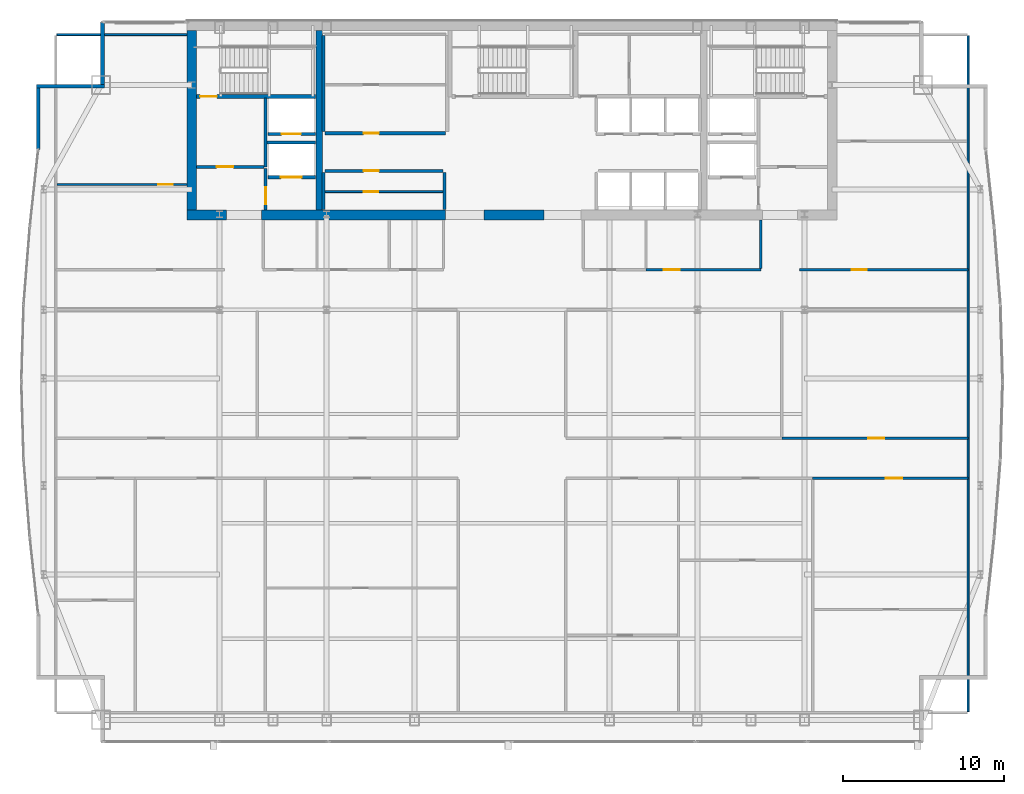
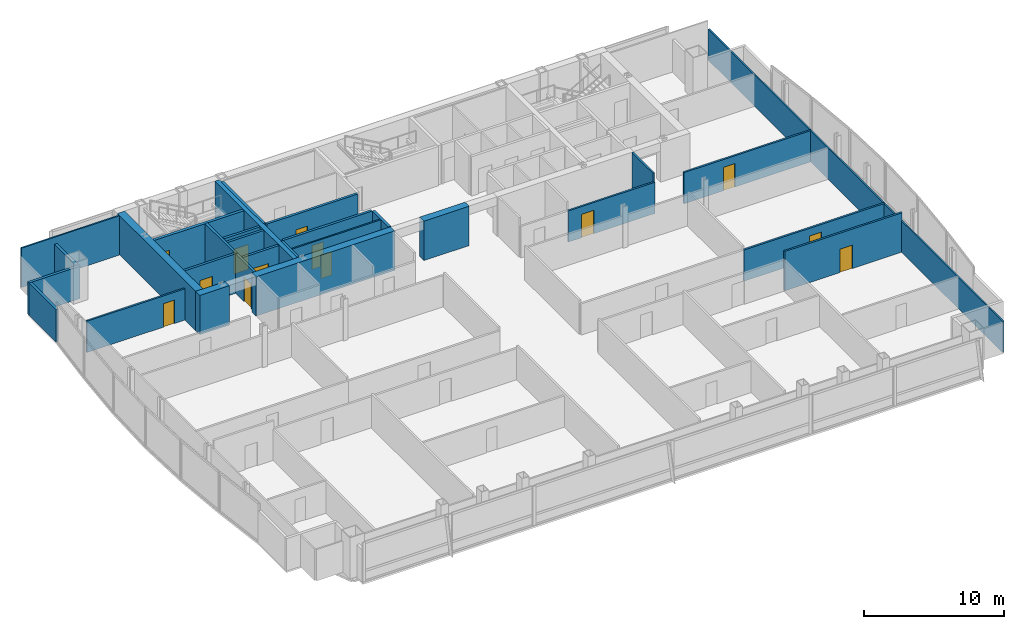
# One storey, part 28 of 32: 29 walls, 13 doors, 13 openings.
"""IFC4 building model written with IfcOpenShell, lengths in metres."""

import ifcopenshell
import ifcopenshell.guid

model = None  # the IFC model being written
_history = None  # IfcOwnerHistory: only IFC2X3 demands one
_inside = {}  # id of a spatial element -> (the spatial element, [elements in it])
_under = {}  # id of a project, library or spatial element -> (it, [spatial elements below it])
_declared = {}  # id of a project -> (the project, [libraries it declares])
_typed = {}  # id of a type object -> (the type object, [elements of that type])
_made_of = {}  # id of a material, layer set ... -> (it, [elements and type objects made of it])


def new_model(schema):
    """Start an empty IFC model of exactly this schema.

    Asked for "IFC4X3", IfcOpenShell would pick the latest addendum, in which some entities
    have other attributes; the version numbers below select the first issue.
    IFC2X3 requires an IfcOwnerHistory on every rooted entity: one is made here for all.
    """
    global model, _history
    if schema == "IFC4X3":
        model = ifcopenshell.file(schema_version=(4, 3, 0, 0))
    else:
        model = ifcopenshell.file(schema=schema)
    _inside.clear()
    _under.clear()
    _declared.clear()
    _typed.clear()
    _made_of.clear()
    _history = None
    if model.schema == "IFC2X3":
        org = make("IfcOrganization", Name="unknown")
        user = make(
            "IfcPersonAndOrganization",
            ThePerson=make("IfcPerson", FamilyName="unknown"),
            TheOrganization=org,
        )
        app = make(
            "IfcApplication",
            ApplicationDeveloper=org,
            Version="unknown",
            ApplicationFullName="unknown",
            ApplicationIdentifier="unknown",
        )
        _history = make(
            "IfcOwnerHistory",
            OwningUser=user,
            OwningApplication=app,
            ChangeAction="ADDED",
            CreationDate=0,
        )
    return model


def make(cls, **values):
    """One entity of the class cls with the attributes given. An attribute that is None is left unset."""
    return model.create_entity(
        cls, **{name: value for name, value in values.items() if value is not None}
    )


def rooted(cls, **values):
    """An entity with a GlobalId (a new one), such as an element, a storey or a relation."""
    return make(cls, GlobalId=ifcopenshell.guid.new(), OwnerHistory=_history, **values)


def si_unit(unit_type, name, prefix=None):
    """IfcSIUnit, for example si_unit("LENGTHUNIT", "METRE", prefix="MILLI")."""
    return make("IfcSIUnit", UnitType=unit_type, Prefix=prefix, Name=name)


def assignment(units):
    """IfcUnitAssignment: the units of a project."""
    return None if units is None else make("IfcUnitAssignment", Units=units)


def point(xyz):
    """IfcCartesianPoint."""
    return None if xyz is None else make("IfcCartesianPoint", Coordinates=xyz)


def direction(xyz):
    """IfcDirection."""
    return None if xyz is None else make("IfcDirection", DirectionRatios=xyz)


def frame(location, z_axis=None, x_axis=None):
    """IfcAxis2Placement3D, a coordinate frame: its origin and axes. An axis left out is left unset."""
    return make(
        "IfcAxis2Placement3D",
        Location=point(location),
        Axis=direction(z_axis),
        RefDirection=direction(x_axis),
    )


def frame_2d(location, x_axis=None):
    """IfcAxis2Placement2D, a coordinate frame in the plane: its origin and x axis."""
    return make(
        "IfcAxis2Placement2D", Location=point(location), RefDirection=direction(x_axis)
    )


def origin():
    """The frame at (0, 0, 0) with its axes left unset."""
    return frame((0.0, 0.0, 0.0))


def place(relative_to, where):
    """IfcLocalPlacement: puts the frame where relative to a parent placement (None: the world)."""
    return make(
        "IfcLocalPlacement", PlacementRelTo=relative_to, RelativePlacement=where
    )


def context(
    kind, dimensions, precision=None, world=None, true_north=None, identifier=None
):
    """IfcGeometricRepresentationContext, for example the 3D "Model" context."""
    return make(
        "IfcGeometricRepresentationContext",
        ContextIdentifier=identifier,
        ContextType=kind,
        CoordinateSpaceDimension=dimensions,
        Precision=precision,
        WorldCoordinateSystem=world,
        TrueNorth=true_north,
    )


def subcontext(parent, identifier, kind, view, scale=None):
    """IfcGeometricRepresentationSubContext, for example "Body" below "Model"."""
    return make(
        "IfcGeometricRepresentationSubContext",
        ContextIdentifier=identifier,
        ContextType=kind,
        ParentContext=parent,
        TargetScale=scale,
        TargetView=view,
    )


def project(units=None, contexts=None):
    """IfcProject with its units and contexts."""
    return rooted(
        "IfcProject",
        Name="project",
        RepresentationContexts=contexts,
        UnitsInContext=assignment(units),
    )


def spatial(cls, under=None, at=None, **own):
    """A site, building, storey or space (cls), placed at a placement, below another one or the project."""
    s = rooted(cls, ObjectPlacement=at, **own)
    if under is not None:
        _under.setdefault(under.id(), (under, []))[1].append(s)
    return s


def profile(cls, at=None, kind="AREA", **sizes):
    """A parametric profile (cls). Its sizes go by their IFC names, for example OverallWidth=200.0."""
    return make(cls, ProfileType=kind, Position=at, **sizes)


def rectangle(**sizes):
    """IfcRectangleProfileDef."""
    return profile("IfcRectangleProfileDef", **sizes)


def extrude(swept, where, along, depth):
    """IfcExtrudedAreaSolid: the profile swept, set in the frame where, extruded along a direction by depth."""
    return make(
        "IfcExtrudedAreaSolid",
        SweptArea=swept,
        Position=where,
        ExtrudedDirection=direction(along),
        Depth=depth,
    )


def shape(context_of_items, identifier, shape_type, items):
    """IfcShapeRepresentation: the items that make up one representation, for example the "Body"."""
    return make(
        "IfcShapeRepresentation",
        ContextOfItems=context_of_items,
        RepresentationIdentifier=identifier,
        RepresentationType=shape_type,
        Items=items,
    )


def material(Name=None, Category=None):
    """IfcMaterial."""
    return make("IfcMaterial", Name=Name, Category=Category)


def layer(
    of_material, thickness, ventilated=None, Name=None, Category=None, Priority=None
):
    """IfcMaterialLayer: one layer of a wall or slab, of a material (None: an air gap)."""
    return make(
        "IfcMaterialLayer",
        Material=of_material,
        LayerThickness=thickness,
        IsVentilated=ventilated,
        Name=Name,
        Category=Category,
        Priority=Priority,
    )


def layer_set(layers, Name=None):
    """IfcMaterialLayerSet."""
    return make("IfcMaterialLayerSet", MaterialLayers=layers, LayerSetName=Name)


def made_of(thing, what):
    """Note that an element or type object is made of a material, layer set ...; save() writes the relation."""
    if what is not None:
        _made_of.setdefault(what.id(), (what, []))[1].append(thing)
    return thing


def type_object(cls, material=None, **own):
    """A type object (cls), such as IfcWallType, which elements share."""
    return made_of(rooted(cls, **own), material)


def element(
    cls,
    number,
    at=None,
    inside=None,
    cuts=None,
    type_object=None,
    material=None,
    context=None,
    identifier="Body",
    shape_type=None,
    held_by="IfcProductDefinitionShape",
    body=None,
    shapes=None,
    **own,
):
    """One element of the class cls, such as IfcWall. Its Tag is "e" and its number.

    at: its placement. inside: the storey or other place that contains it. cuts: it is an
    opening in that element (IfcRelVoidsElement). A single representation is given by context,
    identifier, shape_type and body (its items); several are given by shapes. held_by: the class
    of the entity that holds the representations. save() writes the other relations.
    """
    e = rooted(cls, Tag="e%d" % number, ObjectPlacement=at, **own)
    if body is not None:
        shapes = [shape(context, identifier, shape_type, body)]
    if shapes is not None:
        e.Representation = make(held_by, Representations=shapes)
    if inside is not None:
        _inside.setdefault(inside.id(), (inside, []))[1].append(e)
    if cuts is not None:
        rooted(
            "IfcRelVoidsElement", RelatingBuildingElement=cuts, RelatedOpeningElement=e
        )
    if type_object is not None:
        _typed.setdefault(type_object.id(), (type_object, []))[1].append(e)
    return made_of(e, material)


def fill(opening, filler):
    """IfcRelFillsElement: the door or window that sits in an opening."""
    return rooted(
        "IfcRelFillsElement",
        RelatingOpeningElement=opening,
        RelatedBuildingElement=filler,
    )


def aggregate(whole, parts):
    """IfcRelAggregates: a whole, such as a stair, and the parts it consists of."""
    return rooted("IfcRelAggregates", RelatingObject=whole, RelatedObjects=parts)


def save(model, path):
    """Write the relations noted so far, then the file.

    IfcRelAggregates (storeys below a building ...), IfcRelContainedInSpatialStructure (elements
    in a storey), IfcRelDefinesByType, IfcRelAssociatesMaterial and IfcRelDeclares: one each for
    every whole, place, type object, material and project.
    """
    for whole, parts in _under.values():
        aggregate(whole, parts)
    for where, things in _inside.values():
        rooted(
            "IfcRelContainedInSpatialStructure",
            RelatedElements=things,
            RelatingStructure=where,
        )
    for kind, things in _typed.values():
        rooted("IfcRelDefinesByType", RelatedObjects=things, RelatingType=kind)
    for what, things in _made_of.values():
        rooted("IfcRelAssociatesMaterial", RelatedObjects=things, RelatingMaterial=what)
    for by, libraries in _declared.values():
        rooted("IfcRelDeclares", RelatingContext=by, RelatedDefinitions=libraries)
    model.write(path)


model = new_model("IFC4")

# Units and contexts
model_context = context("Model", 3, precision=1e-05, world=origin(), true_north=direction((0.0, 1.0)))
body_context = subcontext(model_context, "Body", "Model", "MODEL_VIEW")
ifc_project = project(units=[si_unit("LENGTHUNIT", "METRE"), si_unit("AREAUNIT", "SQUARE_METRE"), si_unit("VOLUMEUNIT", "CUBIC_METRE"), si_unit("PLANEANGLEUNIT", "RADIAN"), si_unit("MASSUNIT", "GRAM", prefix="KILO")], contexts=[model_context])

# Site, building, storey
site_placement = place(None, origin())
site = spatial("IfcSite", under=ifc_project, at=site_placement, CompositionType="ELEMENT")
building_placement = place(site_placement, origin())
building = spatial("IfcBuilding", under=site, at=building_placement, Name="Khoronbel Lancet Exchange", CompositionType="ELEMENT")
storey_placement = place(building_placement, frame((0.0, 0.0, 192.199951171875)))
storey = spatial("IfcBuildingStorey", under=building, at=storey_placement, Name="L48", CompositionType="ELEMENT", Elevation=192.199951171875)

# Walls
ifc_material_1 = material(Name="Concrete C60/75", Category="concrete")
ifc_layer_1 = layer(ifc_material_1, 0.60009765625, Name="Concrete C60/75")
ifc_layer_set_1 = layer_set([ifc_layer_1], Name="Concrete C60/75")
wall_type_1 = type_object("IfcWallType", Name="WL-CW3", PredefinedType="SHEAR", material=ifc_layer_set_1)
wall_1_placement = place(storey_placement, frame((16.5, 41.89990234375, 0.0), z_axis=(0.0, 0.0, 1.0), x_axis=(0.0, 1.0, 0.0)))
element("IfcWall", 1, at=wall_1_placement, inside=storey, type_object=wall_type_1, Name="Level L48 rear core west shear wall", PredefinedType="SHEAR", context=body_context, shape_type="SweptSolid", body=[
    extrude(rectangle(XDim=11.2001953125, YDim=0.60009765625, at=frame_2d((5.60009765625, 0.0))), origin(), (0.0, 0.0, 1.0), 3.43994140625),
])
wall_2_placement = place(storey_placement, frame((18.64990234375, 41.60009765625, 0.0), z_axis=(0.0, 0.0, 1.0), x_axis=(-1.0, 0.0, 0.0)))
element("IfcWall", 2, at=wall_2_placement, inside=storey, type_object=wall_type_1, Name="Level L48 rear core south shear wall pier P1", PredefinedType="SHEAR", context=body_context, shape_type="SweptSolid", body=[
    extrude(rectangle(XDim=2.449951171875, YDim=0.60009765625, at=frame_2d((1.22509765625, 0.0))), origin(), (0.0, 0.0, 1.0), 3.43994140625),
])
wall_3_placement = place(storey_placement, frame((32.300048828125, 41.60009765625, 0.0), z_axis=(0.0, 0.0, 1.0), x_axis=(-1.0, 0.0, 0.0)))
element("IfcWall", 3, at=wall_3_placement, inside=storey, type_object=wall_type_1, Name="Level L48 rear core south shear wall pier P2", PredefinedType="SHEAR", context=body_context, shape_type="SweptSolid", body=[
    extrude(rectangle(XDim=11.449951171875, YDim=0.60009765625, at=frame_2d((5.72509765625, 0.0))), origin(), (0.0, 0.0, 1.0), 3.43994140625),
])
wall_4_placement = place(storey_placement, frame((38.449951171875, 41.60009765625, 0.0), z_axis=(0.0, 0.0, 1.0), x_axis=(-1.0, 0.0, 0.0)))
element("IfcWall", 4, at=wall_4_placement, inside=storey, type_object=wall_type_1, Name="Level L48 rear core south shear wall pier P3", PredefinedType="SHEAR", context=body_context, shape_type="SweptSolid", body=[
    extrude(rectangle(XDim=3.75, YDim=0.60009765625, at=frame_2d((1.875, 0.0))), origin(), (0.0, 0.0, 1.0), 3.43994140625),
])
ifc_material_2 = material(Name="Precast concrete C40/50", Category="concrete")
ifc_layer_2 = layer(ifc_material_2, 0.25, Name="Precast concrete C40/50")
ifc_layer_set_2 = layer_set([ifc_layer_2], Name="Precast concrete C40/50")
wall_type_2 = type_object("IfcWallType", Name="WL-EXT250", PredefinedType="SOLIDWALL", material=ifc_layer_set_2)
wall_5_placement = place(storey_placement, frame((6.93994140625, 45.675048828125, 0.0), z_axis=(0.0, 0.0, 1.0), x_axis=(0.0, 1.0, 0.0)))
element("IfcWall", 5, at=wall_5_placement, inside=storey, type_object=wall_type_2, Name="Level L48 notched-corner limestone pier 10", PredefinedType="SOLIDWALL", context=body_context, shape_type="SweptSolid", body=[
    extrude(rectangle(XDim=3.824951171875, YDim=0.219970703125, at=frame_2d((1.91259765625, 0.0))), origin(), (0.0, 0.0, 1.0), 2.830078125),
])
wall_6_placement = place(storey_placement, frame((6.830078125, 49.610107421875, 0.0), z_axis=(0.0, 0.0, 1.0), x_axis=(1.0, 0.0, 0.0)))
element("IfcWall", 6, at=wall_6_placement, inside=storey, type_object=wall_type_2, Name="Level L48 notched-corner limestone pier 11", PredefinedType="SOLIDWALL", context=body_context, shape_type="SweptSolid", body=[
    extrude(rectangle(XDim=4.219970703125, YDim=0.219970703125, at=frame_2d((2.10986328125, 0.0))), origin(), (0.0, 0.0, 1.0), 2.830078125),
])
wall_7_placement = place(storey_placement, frame((10.93994140625, 49.719970703125, 0.0), z_axis=(0.0, 0.0, 1.0), x_axis=(0.0, 1.0, 0.0)))
element("IfcWall", 7, at=wall_7_placement, inside=storey, type_object=wall_type_2, Name="Level L48 notched-corner limestone pier 12", PredefinedType="SOLIDWALL", context=body_context, shape_type="SweptSolid", body=[
    extrude(rectangle(XDim=3.909912109375, YDim=0.219970703125, at=frame_2d((1.955078125, 0.0))), origin(), (0.0, 0.0, 1.0), 2.830078125),
])
ifc_material_3 = material(Name="Acoustic Metal-Stud & Mineral-Wool Gypsum Partition 120 mm", Category="gypsum")
ifc_layer_3 = layer(ifc_material_3, 0.1201171875, Name="Acoustic Metal-Stud & Mineral-Wool Gypsum Partition 120 mm")
ifc_layer_set_3 = layer_set([ifc_layer_3], Name="Acoustic Metal-Stud & Mineral-Wool Gypsum Partition 120 mm")
wall_type_3 = type_object("IfcWallType", Name="WL-PRT120", PredefinedType="PARTITIONING", material=ifc_layer_set_3)
wall_8_placement = place(storey_placement, frame((51.949951171875, 38.280029296875, 0.0), z_axis=(0.0, 0.0, 1.0), x_axis=(0.0, 1.0, 0.0)))
element("IfcWall", 8, at=wall_8_placement, inside=storey, type_object=wall_type_3, Name="Level L48 interior partition PW-NP-1", PredefinedType="PARTITIONING", context=body_context, shape_type="SweptSolid", body=[
    extrude(rectangle(XDim=3.02001953125, YDim=0.14990234375, at=frame_2d((1.510009765625, 0.0))), origin(), (0.0, 0.0, 1.0), 3.43994140625),
])

# Wall, opening, door
wall_9_placement = place(storey_placement, frame((8.094970703125, 43.5, 0.0), z_axis=(0.0, 0.0, 1.0), x_axis=(1.0, 0.0, 0.0)))
wall_9 = element("IfcWall", 9, at=wall_9_placement, inside=storey, type_object=wall_type_3, Name="Level L48 interior partition PW-NW-H", PredefinedType="PARTITIONING", context=body_context, shape_type="SweptSolid", body=[
    extrude(rectangle(XDim=8.10498046875, YDim=0.14990234375, at=frame_2d((4.052490234375, 0.0))), origin(), (0.0, 0.0, 1.0), 2.72998046875),
])
opening_1_placement = place(wall_9_placement, frame((6.320068359375, 0.0, 0.0)))
opening_1 = element("IfcOpeningElement", 10, at=opening_1_placement, cuts=wall_9, Name="Opening D5", PredefinedType="OPENING", context=body_context, shape_type="SweptSolid", body=[
    extrude(rectangle(XDim=0.89990234375, YDim=2.050048828125, at=frame_2d((0.449951171875, 1.02490234375))), frame((0.0, 0.0849609375, 0.0), z_axis=(0.0, -1.0, 0.0), x_axis=(1.0, 0.0, 0.0)), (0.0, 0.0, 1.0), 0.169921875),
])
ifc_material_4 = material(Name="Acoustic Timber Pantry & Support Door", Category="wood")
door_type_1 = type_object("IfcDoorType", Name="DR-D5", OperationType="NOTDEFINED", PredefinedType="DOOR", material=ifc_material_4)
door_1_placement = place(opening_1_placement, origin())
door_1 = element("IfcDoor", 11, at=door_1_placement, inside=storey, type_object=door_type_1, Name="NW north room door L48-1", OperationType="SINGLE_SWING_RIGHT", OverallHeight=2.050048828125, OverallWidth=0.89990234375, PredefinedType="DOOR", context=body_context, shape_type="SweptSolid", body=[
    extrude(rectangle(XDim=0.89990234375, YDim=2.050048828125, at=frame_2d((0.449951171875, 1.02490234375))), frame((0.0, 0.02490234375, 0.0), z_axis=(0.0, -1.0, 0.0), x_axis=(1.0, 0.0, 0.0)), (0.0, 0.0, 1.0), 0.050048828125),
])
fill(opening_1, door_1)

# Walls
wall_10_placement = place(storey_placement, frame((64.8701171875, 10.6650390625, 0.0), z_axis=(0.0, 0.0, 1.0), x_axis=(0.0, 1.0, 0.0)))
element("IfcWall", 12, at=wall_10_placement, inside=storey, type_object=wall_type_3, Name="Level L48 interior partition PW-LIN-E", PredefinedType="PARTITIONING", context=body_context, shape_type="SweptSolid", body=[
    extrude(rectangle(XDim=42.10986328125, YDim=0.1201171875, at=frame_2d((21.054931640625, 0.0))), origin(), (0.0, 0.0, 1.0), 2.72998046875),
])
wall_11_placement = place(storey_placement, frame((8.094970703125, 52.840087890625, 0.0), z_axis=(0.0, 0.0, 1.0), x_axis=(1.0, 0.0, 0.0)))
element("IfcWall", 13, at=wall_11_placement, inside=storey, type_object=wall_type_3, Name="Level L48 interior partition PW-LIN-NW", PredefinedType="PARTITIONING", context=body_context, shape_type="SweptSolid", body=[
    extrude(rectangle(XDim=8.10498046875, YDim=0.1201171875, at=frame_2d((4.052490234375, 0.0))), origin(), (0.0, 0.0, 1.0), 3.43994140625),
])

# Wall, opening, door
ifc_material_5 = material(Name="Fire-Rated Metal-Stud & Mineral-Wool Gypsum Partition 120 mm", Category="gypsum")
ifc_layer_4 = layer(ifc_material_5, 0.1201171875, Name="Fire-Rated Metal-Stud & Mineral-Wool Gypsum Partition 120 mm")
ifc_layer_set_4 = layer_set([ifc_layer_4], Name="Fire-Rated Metal-Stud & Mineral-Wool Gypsum Partition 120 mm")
wall_type_4 = type_object("IfcWallType", Name="WL-PRT120F", PredefinedType="PARTITIONING", material=ifc_layer_set_4)
wall_12_placement = place(storey_placement, frame((24.804931640625, 43.053955078125, 0.0), z_axis=(0.0, 0.0, 1.0), x_axis=(1.0, 0.0, 0.0)))
wall_12 = element("IfcWall", 14, at=wall_12_placement, inside=storey, type_object=wall_type_4, Name="Level L48 interior partition CW-PM-RH", PredefinedType="PARTITIONING", context=body_context, shape_type="SweptSolid", body=[
    extrude(rectangle(XDim=7.340087890625, YDim=0.1201171875, at=frame_2d((3.669921875, 0.0))), origin(), (0.0, 0.0, 1.0), 3.43994140625),
])
opening_2_placement = place(wall_12_placement, frame((2.39990234375, 0.0, 0.0)))
opening_2 = element("IfcOpeningElement", 15, at=opening_2_placement, cuts=wall_12, Name="Opening FD4", PredefinedType="OPENING", context=body_context, shape_type="SweptSolid", body=[
    extrude(rectangle(XDim=0.89990234375, YDim=2.050048828125, at=frame_2d((0.449951171875, 1.02490234375))), frame((0.0, 0.070068359375, 0.0), z_axis=(0.0, -1.0, 0.0), x_axis=(1.0, 0.0, 0.0)), (0.0, 0.0, 1.0), 0.14013671875),
])
ifc_material_6 = material(Name="Fire-Rated Steel Core Support Door Assembly", Category="steel")
door_type_2 = type_object("IfcDoorType", Name="DR-FD4", OperationType="NOTDEFINED", PredefinedType="DOOR", material=ifc_material_6)
door_2_placement = place(opening_2_placement, origin())
door_2 = element("IfcDoor", 16, at=door_2_placement, inside=storey, type_object=door_type_2, Name="Core PM inner store door L48-1", OperationType="SINGLE_SWING_LEFT", OverallHeight=2.050048828125, OverallWidth=0.89990234375, PredefinedType="DOOR", context=body_context, shape_type="SweptSolid", body=[
    extrude(rectangle(XDim=0.89990234375, YDim=2.050048828125, at=frame_2d((0.449951171875, 1.02490234375))), frame((0.0, 0.02490234375, 0.0), z_axis=(0.0, -1.0, 0.0), x_axis=(1.0, 0.0, 0.0)), (0.0, 0.0, 1.0), 0.050048828125),
])
fill(opening_2, door_2)

ifc_material_7 = material(Name="Fire-Rated Twin-Stud Acoustic Gypsum Partition 150 mm", Category="gypsum")
ifc_layer_5 = layer(ifc_material_7, 0.14990234375, Name="Fire-Rated Twin-Stud Acoustic Gypsum Partition 150 mm")
ifc_layer_set_5 = layer_set([ifc_layer_5], Name="Fire-Rated Twin-Stud Acoustic Gypsum Partition 150 mm")
wall_type_5 = type_object("IfcWallType", Name="WL-PRT150C", PredefinedType="PARTITIONING", material=ifc_layer_set_5)
wall_13_placement = place(storey_placement, frame((44.800048828125, 38.199951171875, 0.0), z_axis=(0.0, 0.0, 1.0), x_axis=(1.0, 0.0, 0.0)))
wall_13 = element("IfcWall", 17, at=wall_13_placement, inside=storey, type_object=wall_type_5, Name="Level L48 interior partition PW-NP-S2", PredefinedType="PARTITIONING", context=body_context, shape_type="SweptSolid", body=[
    extrude(rectangle(XDim=7.14990234375, YDim=0.14990234375, at=frame_2d((3.574951171875, 0.0))), origin(), (0.0, 0.0, 1.0), 2.72998046875),
])
opening_3_placement = place(wall_13_placement, frame((1.10009765625, 0.0, 0.0)))
opening_3 = element("IfcOpeningElement", 18, at=opening_3_placement, cuts=wall_13, Name="Opening D2", PredefinedType="OPENING", context=body_context, shape_type="SweptSolid", body=[
    extrude(rectangle(XDim=1.0, YDim=2.050048828125, at=frame_2d((0.5, 1.02490234375))), frame((0.0, 0.0849609375, 0.0), z_axis=(0.0, -1.0, 0.0), x_axis=(1.0, 0.0, 0.0)), (0.0, 0.0, 1.0), 0.169921875),
])
ifc_material_8 = material(Name="Acoustic Veneered Timber & Bronze Frame Door", Category="wood")
door_type_3 = type_object("IfcDoorType", Name="DR-D2", OperationType="NOTDEFINED", PredefinedType="DOOR", material=ifc_material_8)
door_3_placement = place(opening_3_placement, origin())
door_3 = element("IfcDoor", 19, at=door_3_placement, inside=storey, type_object=door_type_3, Name="Floor store door L48-1", OperationType="SINGLE_SWING_LEFT", OverallHeight=2.050048828125, OverallWidth=1.0, PredefinedType="DOOR", context=body_context, shape_type="SweptSolid", body=[
    extrude(rectangle(XDim=1.0, YDim=2.050048828125, at=frame_2d((0.5, 1.02490234375))), frame((0.0, 0.02490234375, 0.0), z_axis=(0.0, -1.0, 0.0), x_axis=(1.0, 0.0, 0.0)), (0.0, 0.0, 1.0), 0.050048828125),
])
fill(opening_3, door_3)

wall_14_placement = place(storey_placement, frame((54.35009765625, 38.199951171875, 0.0), z_axis=(0.0, 0.0, 1.0), x_axis=(1.0, 0.0, 0.0)))
wall_14 = element("IfcWall", 20, at=wall_14_placement, inside=storey, type_object=wall_type_5, Name="Level L48 interior partition PW-NE-S", PredefinedType="PARTITIONING", context=body_context, shape_type="SweptSolid", body=[
    extrude(rectangle(XDim=10.52001953125, YDim=0.14990234375, at=frame_2d((5.260009765625, 0.0))), origin(), (0.0, 0.0, 1.0), 2.72998046875),
])
opening_4_placement = place(wall_14_placement, frame((3.25, 0.0, 0.0)))
opening_4 = element("IfcOpeningElement", 21, at=opening_4_placement, cuts=wall_14, Name="Opening D1", PredefinedType="OPENING", context=body_context, shape_type="SweptSolid", body=[
    extrude(rectangle(XDim=0.949951171875, YDim=2.050048828125, at=frame_2d((0.47509765625, 1.02490234375))), frame((0.0, 0.0849609375, 0.0), z_axis=(0.0, -1.0, 0.0), x_axis=(1.0, 0.0, 0.0)), (0.0, 0.0, 1.0), 0.169921875),
])
door_type_4 = type_object("IfcDoorType", Name="DR-D1", OperationType="NOTDEFINED", PredefinedType="DOOR", material=ifc_material_8)
door_4_placement = place(opening_4_placement, origin())
door_4 = element("IfcDoor", 22, at=door_4_placement, inside=storey, type_object=door_type_4, Name="NE corner room door L48-1", OperationType="SINGLE_SWING_LEFT", OverallHeight=2.050048828125, OverallWidth=0.949951171875, PredefinedType="DOOR", context=body_context, shape_type="SweptSolid", body=[
    extrude(rectangle(XDim=0.949951171875, YDim=2.050048828125, at=frame_2d((0.47509765625, 1.02490234375))), frame((0.0, 0.02490234375, 0.0), z_axis=(0.0, -1.0, 0.0), x_axis=(1.0, 0.0, 0.0)), (0.0, 0.0, 1.0), 0.050048828125),
])
fill(opening_4, door_4)

ifc_material_9 = material(Name="Fire-Rated Twin-Stud Acoustic Gypsum Partition 160 mm", Category="gypsum")
ifc_layer_6 = layer(ifc_material_9, 0.159912109375, Name="Fire-Rated Twin-Stud Acoustic Gypsum Partition 160 mm")
ifc_layer_set_6 = layer_set([ifc_layer_6], Name="Fire-Rated Twin-Stud Acoustic Gypsum Partition 160 mm")
wall_type_6 = type_object("IfcWallType", Name="WL-PRT160C", PredefinedType="PARTITIONING", material=ifc_layer_set_6)
wall_15_placement = place(storey_placement, frame((55.17626953125, 25.199951171875, 0.0), z_axis=(0.0, 0.0, 1.0), x_axis=(1.0, 0.0, 0.0)))
wall_15 = element("IfcWall", 23, at=wall_15_placement, inside=storey, type_object=wall_type_6, Name="Level L48 interior partition PW-Z3SE-COR3", PredefinedType="PARTITIONING", context=body_context, shape_type="SweptSolid", body=[
    extrude(rectangle(XDim=9.69384765625, YDim=0.159912109375, at=frame_2d((4.846923828125, 0.0))), origin(), (0.0, 0.0, 1.0), 3.43994140625),
])
opening_5_placement = place(wall_15_placement, frame((4.5712890625, 0.0, 0.0)))
opening_5 = element("IfcOpeningElement", 24, at=opening_5_placement, cuts=wall_15, Name="Opening D2", PredefinedType="OPENING", context=body_context, shape_type="SweptSolid", body=[
    extrude(rectangle(XDim=1.0, YDim=2.050048828125, at=frame_2d((0.5, 1.02490234375))), frame((0.0, 0.08984375, 0.0), z_axis=(0.0, -1.0, 0.0), x_axis=(1.0, 0.0, 0.0)), (0.0, 0.0, 1.0), 0.179931640625),
])
door_5_placement = place(opening_5_placement, origin())
door_5 = element("IfcDoor", 25, at=door_5_placement, inside=storey, type_object=door_type_3, Name="Z3SE bay 3 door L48-1", OperationType="SINGLE_SWING_LEFT", OverallHeight=2.050048828125, OverallWidth=1.0, PredefinedType="DOOR", context=body_context, shape_type="SweptSolid", body=[
    extrude(rectangle(XDim=1.0, YDim=2.050048828125, at=frame_2d((0.5, 1.02490234375))), frame((0.0, 0.02490234375, 0.0), z_axis=(0.0, -1.0, 0.0), x_axis=(1.0, 0.0, 0.0)), (0.0, 0.0, 1.0), 0.050048828125),
])
fill(opening_5, door_5)

wall_16_placement = place(storey_placement, frame((53.263427734375, 27.699951171875, 0.0), z_axis=(0.0, 0.0, 1.0), x_axis=(1.0, 0.0, 0.0)))
wall_16 = element("IfcWall", 26, at=wall_16_placement, inside=storey, type_object=wall_type_6, Name="Level L48 interior partition PW-Z3NE-COR2", PredefinedType="PARTITIONING", context=body_context, shape_type="SweptSolid", body=[
    extrude(rectangle(XDim=11.606689453125, YDim=0.159912109375, at=frame_2d((5.80322265625, 0.0))), origin(), (0.0, 0.0, 1.0), 2.72998046875),
])
opening_6_placement = place(wall_16_placement, frame((5.374755859375, 0.0, 0.0)))
opening_6 = element("IfcOpeningElement", 27, at=opening_6_placement, cuts=wall_16, Name="Opening D2", PredefinedType="OPENING", context=body_context, shape_type="SweptSolid", body=[
    extrude(rectangle(XDim=1.0, YDim=2.050048828125, at=frame_2d((0.5, 1.02490234375))), frame((0.0, 0.08984375, 0.0), z_axis=(0.0, -1.0, 0.0), x_axis=(1.0, 0.0, 0.0)), (0.0, 0.0, 1.0), 0.179931640625),
])
door_6_placement = place(opening_6_placement, origin())
door_6 = element("IfcDoor", 28, at=door_6_placement, inside=storey, type_object=door_type_3, Name="Z3NE bay 2 door L48-1", OperationType="SINGLE_SWING_RIGHT", OverallHeight=2.050048828125, OverallWidth=1.0, PredefinedType="DOOR", context=body_context, shape_type="SweptSolid", body=[
    extrude(rectangle(XDim=1.0, YDim=2.050048828125, at=frame_2d((0.5, 1.02490234375))), frame((0.0, 0.02490234375, 0.0), z_axis=(0.0, -1.0, 0.0), x_axis=(1.0, 0.0, 0.0)), (0.0, 0.0, 1.0), 0.050048828125),
])
fill(opening_6, door_6)

ifc_material_10 = material(Name="Autoclaved Aerated Concrete Blockwork 200 mm", Category="masonry")
ifc_layer_7 = layer(ifc_material_10, 0.199951171875, Name="Autoclaved Aerated Concrete Blockwork 200 mm")
ifc_layer_set_7 = layer_set([ifc_layer_7], Name="Autoclaved Aerated Concrete Blockwork 200 mm")
wall_type_7 = type_object("IfcWallType", Name="WL-PRT200", PredefinedType="PARTITIONING", material=ifc_layer_set_7)
wall_17_placement = place(storey_placement, frame((24.2099609375, 43.949951171875, 0.0), z_axis=(0.0, 0.0, 1.0), x_axis=(-1.0, 0.0, 0.0)))
wall_17 = element("IfcWall", 29, at=wall_17_placement, inside=storey, type_object=wall_type_7, Name="Level L48 elevator hoistway landing front wall SVLW", PredefinedType="PARTITIONING", context=body_context, shape_type="SweptSolid", body=[
    extrude(rectangle(XDim=2.969970703125, YDim=0.199951171875, at=frame_2d((1.48486328125, 0.0))), origin(), (0.0, 0.0, 1.0), 3.43994140625),
])
opening_7_placement = place(wall_17_placement, frame((0.860107421875, 0.0, 0.0)))
opening_7 = element("IfcOpeningElement", 30, at=opening_7_placement, cuts=wall_17, Name="Opening LD-SVL1", PredefinedType="OPENING", context=body_context, shape_type="SweptSolid", body=[
    extrude(rectangle(XDim=1.300048828125, YDim=2.179931640625, at=frame_2d((0.64990234375, 1.08984375))), frame((0.0, 0.10986328125, 0.0), z_axis=(0.0, -1.0, 0.0), x_axis=(1.0, 0.0, 0.0)), (0.0, 0.0, 1.0), 0.219970703125),
])
ifc_material_11 = material(Name="Heavy-Duty Bi-Parting Goods Lift Landing Door", Category="steel")
door_type_5 = type_object("IfcDoorType", Name="DR-LD-SVL", OperationType="NOTDEFINED", PredefinedType="DOOR", material=ifc_material_11)
door_7_placement = place(opening_7_placement, origin())
door_7 = element("IfcDoor", 31, at=door_7_placement, inside=storey, type_object=door_type_5, Name="Elevator landing sliding door LD-SVL1 L48", OperationType="SLIDING_TO_LEFT", OverallHeight=2.179931640625, OverallWidth=1.300048828125, PredefinedType="DOOR", context=body_context, shape_type="SweptSolid", body=[
    extrude(rectangle(XDim=1.300048828125, YDim=2.179931640625, at=frame_2d((0.64990234375, 1.08984375))), frame((0.0, 0.02490234375, 0.0), z_axis=(0.0, -1.0, 0.0), x_axis=(1.0, 0.0, 0.0)), (0.0, 0.0, 1.0), 0.050048828125),
])
fill(opening_7, door_7)

wall_18_placement = place(storey_placement, frame((24.2099609375, 46.64990234375, 0.0), z_axis=(0.0, 0.0, 1.0), x_axis=(-1.0, 0.0, 0.0)))
wall_18 = element("IfcWall", 32, at=wall_18_placement, inside=storey, type_object=wall_type_7, Name="Level L48 elevator hoistway landing front wall FFLW", PredefinedType="PARTITIONING", context=body_context, shape_type="SweptSolid", body=[
    extrude(rectangle(XDim=2.969970703125, YDim=0.199951171875, at=frame_2d((1.48486328125, 0.0))), origin(), (0.0, 0.0, 1.0), 3.43994140625),
])
opening_8_placement = place(wall_18_placement, frame((0.909912109375, 0.0, 0.0)))
opening_8 = element("IfcOpeningElement", 33, at=opening_8_placement, cuts=wall_18, Name="Opening LD-FFL1", PredefinedType="OPENING", context=body_context, shape_type="SweptSolid", body=[
    extrude(rectangle(XDim=1.199951171875, YDim=2.179931640625, at=frame_2d((0.60009765625, 1.08984375))), frame((0.0, 0.10986328125, 0.0), z_axis=(0.0, -1.0, 0.0), x_axis=(1.0, 0.0, 0.0)), (0.0, 0.0, 1.0), 0.219970703125),
])
ifc_material_12 = material(Name="Fire-Rated Stainless Bi-Parting Firefighting Lift Door", Category="steel")
door_type_6 = type_object("IfcDoorType", Name="DR-LD-FFL", OperationType="NOTDEFINED", PredefinedType="DOOR", material=ifc_material_12)
door_8_placement = place(opening_8_placement, origin())
door_8 = element("IfcDoor", 34, at=door_8_placement, inside=storey, type_object=door_type_6, Name="Elevator landing sliding door LD-FFL1 L48", OperationType="SLIDING_TO_LEFT", OverallHeight=2.179931640625, OverallWidth=1.199951171875, PredefinedType="DOOR", context=body_context, shape_type="SweptSolid", body=[
    extrude(rectangle(XDim=1.199951171875, YDim=2.179931640625, at=frame_2d((0.60009765625, 1.08984375))), frame((0.0, 0.02490234375, 0.0), z_axis=(0.0, -1.0, 0.0), x_axis=(1.0, 0.0, 0.0)), (0.0, 0.0, 1.0), 0.050048828125),
])
fill(opening_8, door_8)

# Wall
wall_19_placement = place(storey_placement, frame((21.10009765625, 44.60009765625, 0.0), z_axis=(0.0, 0.0, 1.0), x_axis=(0.0, 1.0, 0.0)))
element("IfcWall", 35, at=wall_19_placement, inside=storey, type_object=wall_type_7, Name="Level L48 interior partition CW-FFLW-E", PredefinedType="PARTITIONING", context=body_context, shape_type="SweptSolid", body=[
    extrude(rectangle(XDim=4.2998046875, YDim=0.199951171875, at=frame_2d((2.14990234375, 0.0))), origin(), (0.0, 0.0, 1.0), 3.43994140625),
])

# Wall, opening, door
wall_20_placement = place(storey_placement, frame((16.800048828125, 44.60009765625, 0.0), z_axis=(0.0, 0.0, 1.0), x_axis=(1.0, 0.0, 0.0)))
wall_20 = element("IfcWall", 36, at=wall_20_placement, inside=storey, type_object=wall_type_7, Name="Level L48 interior partition CW-FFLW-S", PredefinedType="PARTITIONING", context=body_context, shape_type="SweptSolid", body=[
    extrude(rectangle(XDim=4.199951171875, YDim=0.199951171875, at=frame_2d((2.10009765625, 0.0))), origin(), (0.0, 0.0, 1.0), 3.43994140625),
])
opening_9_placement = place(wall_20_placement, frame((1.25, 0.0, 0.0)))
opening_9 = element("IfcOpeningElement", 37, at=opening_9_placement, cuts=wall_20, Name="Opening FD1", PredefinedType="OPENING", context=body_context, shape_type="SweptSolid", body=[
    extrude(rectangle(XDim=1.050048828125, YDim=2.14990234375, at=frame_2d((0.52490234375, 1.074951171875))), frame((0.0, 0.10986328125, 0.0), z_axis=(0.0, -1.0, 0.0), x_axis=(1.0, 0.0, 0.0)), (0.0, 0.0, 1.0), 0.219970703125),
])
ifc_material_13 = material(Name="Fire-Rated Painted Steel Door Assembly", Category="steel")
door_type_7 = type_object("IfcDoorType", Name="DR-FD1", OperationType="NOTDEFINED", PredefinedType="DOOR", material=ifc_material_13)
door_9_placement = place(opening_9_placement, origin())
door_9 = element("IfcDoor", 38, at=door_9_placement, inside=storey, type_object=door_type_7, Name="West firefighting lobby FD90S door L48-1", OperationType="SINGLE_SWING_LEFT", OverallHeight=2.14990234375, OverallWidth=1.050048828125, PredefinedType="DOOR", context=body_context, shape_type="SweptSolid", body=[
    extrude(rectangle(XDim=1.050048828125, YDim=2.14990234375, at=frame_2d((0.52490234375, 1.074951171875))), frame((0.0, 0.02490234375, 0.0), z_axis=(0.0, -1.0, 0.0), x_axis=(1.0, 0.0, 0.0)), (0.0, 0.0, 1.0), 0.050048828125),
])
fill(opening_9, door_9)

# Wall
wall_21_placement = place(storey_placement, frame((21.199951171875, 46.1201171875, 0.0), z_axis=(0.0, 0.0, 1.0), x_axis=(1.0, 0.0, 0.0)))
element("IfcWall", 39, at=wall_21_placement, inside=storey, type_object=wall_type_7, Name="Level L48 interior partition CW-FFL1-S", PredefinedType="PARTITIONING", context=body_context, shape_type="SweptSolid", body=[
    extrude(rectangle(XDim=3.02001953125, YDim=0.199951171875, at=frame_2d((1.510009765625, 0.0))), origin(), (0.0, 0.0, 1.0), 3.43994140625),
])

# Wall, opening, door
wall_22_placement = place(storey_placement, frame((21.10009765625, 41.89990234375, 0.0), z_axis=(0.0, 0.0, 1.0), x_axis=(0.0, 1.0, 0.0)))
wall_22 = element("IfcWall", 40, at=wall_22_placement, inside=storey, type_object=wall_type_7, Name="Level L48 interior partition CW-SVLW-W", PredefinedType="PARTITIONING", context=body_context, shape_type="SweptSolid", body=[
    extrude(rectangle(XDim=2.59521484375, YDim=0.199951171875, at=frame_2d((1.297607421875, 0.0))), origin(), (0.0, 0.0, 1.0), 3.43994140625),
])
opening_10_placement = place(wall_22_placement, frame((0.3798828125, 0.0, 0.0)))
opening_10 = element("IfcOpeningElement", 41, at=opening_10_placement, cuts=wall_22, Name="Opening FD1", PredefinedType="OPENING", context=body_context, shape_type="SweptSolid", body=[
    extrude(rectangle(XDim=1.050048828125, YDim=2.14990234375, at=frame_2d((0.52490234375, 1.074951171875))), frame((0.0, 0.10986328125, 0.0), z_axis=(0.0, -1.0, 0.0), x_axis=(1.0, 0.0, 0.0)), (0.0, 0.0, 1.0), 0.219970703125),
])
door_10_placement = place(opening_10_placement, origin())
door_10 = element("IfcDoor", 42, at=door_10_placement, inside=storey, type_object=door_type_7, Name="West service lift lobby door L48-1", OperationType="SINGLE_SWING_RIGHT", OverallHeight=2.14990234375, OverallWidth=1.050048828125, PredefinedType="DOOR", context=body_context, shape_type="SweptSolid", body=[
    extrude(rectangle(XDim=1.050048828125, YDim=2.14990234375, at=frame_2d((0.52490234375, 1.074951171875))), frame((0.0, 0.02490234375, 0.0), z_axis=(0.0, -1.0, 0.0), x_axis=(1.0, 0.0, 0.0)), (0.0, 0.0, 1.0), 0.050048828125),
])
fill(opening_10, door_10)

# Wall
wall_23_placement = place(storey_placement, frame((24.699951171875, 46.804931640625, 0.0), z_axis=(0.0, 0.0, 1.0), x_axis=(0.0, 1.0, 0.0)))
element("IfcWall", 43, at=wall_23_placement, inside=storey, type_object=wall_type_7, Name="Level L48 interior partition CW-PL-RW", PredefinedType="PARTITIONING", context=body_context, shape_type="SweptSolid", body=[
    extrude(rectangle(XDim=5.989990234375, YDim=0.199951171875, at=frame_2d((2.9951171875, 0.0))), origin(), (0.0, 0.0, 1.0), 3.43994140625),
])

# Wall, opening, door
wall_24_placement = place(storey_placement, frame((24.804931640625, 46.699951171875, 0.0), z_axis=(0.0, 0.0, 1.0), x_axis=(1.0, 0.0, 0.0)))
wall_24 = element("IfcWall", 44, at=wall_24_placement, inside=storey, type_object=wall_type_7, Name="Level L48 interior partition CW-PL-RF", PredefinedType="PARTITIONING", context=body_context, shape_type="SweptSolid", body=[
    extrude(rectangle(XDim=7.510009765625, YDim=0.199951171875, at=frame_2d((3.7548828125, 0.0))), origin(), (0.0, 0.0, 1.0), 3.43994140625),
])
opening_11_placement = place(wall_24_placement, frame((2.39990234375, 0.0, 0.0)))
opening_11 = element("IfcOpeningElement", 45, at=opening_11_placement, cuts=wall_24, Name="Opening FD3", PredefinedType="OPENING", context=body_context, shape_type="SweptSolid", body=[
    extrude(rectangle(XDim=0.949951171875, YDim=2.10009765625, at=frame_2d((0.47509765625, 1.050048828125))), frame((0.0, 0.10986328125, 0.0), z_axis=(0.0, -1.0, 0.0), x_axis=(1.0, 0.0, 0.0)), (0.0, 0.0, 1.0), 0.219970703125),
])
ifc_material_14 = material(Name="Fire-Rated Steel Plant & Riser Door Assembly", Category="steel")
door_type_8 = type_object("IfcDoorType", Name="DR-FD3", OperationType="NOTDEFINED", PredefinedType="DOOR", material=ifc_material_14)
door_11_placement = place(opening_11_placement, origin())
door_11 = element("IfcDoor", 46, at=door_11_placement, inside=storey, type_object=door_type_8, Name="Core PL merged gallery room door L48-1", OperationType="SINGLE_SWING_RIGHT", OverallHeight=2.10009765625, OverallWidth=0.949951171875, PredefinedType="DOOR", context=body_context, shape_type="SweptSolid", body=[
    extrude(rectangle(XDim=0.949951171875, YDim=2.10009765625, at=frame_2d((0.47509765625, 1.050048828125))), frame((0.0, 0.02490234375, 0.0), z_axis=(0.0, -1.0, 0.0), x_axis=(1.0, 0.0, 0.0)), (0.0, 0.0, 1.0), 0.050048828125),
])
fill(opening_11, door_11)

# Walls
for number, where, z_axis, x_axis, name in (
    (47, (24.699951171875, 41.949951171875, 0.0), (0.0, 0.0, 1.0), (0.0, 1.0, 0.0), "Level L48 interior partition CW-PM-RW"),
    (48, (32.25, 41.949951171875, 0.0), (0.0, 0.0, 1.0), (0.0, 1.0, 0.0), "Level L48 interior partition CW-PM-RE"),
):
    element("IfcWall", number, at=place(storey_placement, frame(where, z_axis=z_axis, x_axis=x_axis)), inside=storey, type_object=wall_type_7, Name=name, PredefinedType="PARTITIONING", context=body_context, shape_type="SweptSolid", body=[
        extrude(rectangle(XDim=2.295166015625, YDim=0.199951171875, at=frame_2d((1.1474609375, 0.0))), origin(), (0.0, 0.0, 1.0), 3.43994140625),
    ])

# Wall, opening, door
wall_25_placement = place(storey_placement, frame((24.804931640625, 44.35009765625, 0.0), z_axis=(0.0, 0.0, 1.0), x_axis=(1.0, 0.0, 0.0)))
wall_25 = element("IfcWall", 49, at=wall_25_placement, inside=storey, type_object=wall_type_7, Name="Level L48 interior partition CW-PM-RF", PredefinedType="PARTITIONING", context=body_context, shape_type="SweptSolid", body=[
    extrude(rectangle(XDim=7.340087890625, YDim=0.199951171875, at=frame_2d((3.669921875, 0.0))), origin(), (0.0, 0.0, 1.0), 3.43994140625),
])
opening_12_placement = place(wall_25_placement, frame((2.39990234375, 0.0, 0.0)))
opening_12 = element("IfcOpeningElement", 50, at=opening_12_placement, cuts=wall_25, Name="Opening FD3", PredefinedType="OPENING", context=body_context, shape_type="SweptSolid", body=[
    extrude(rectangle(XDim=0.949951171875, YDim=2.10009765625, at=frame_2d((0.47509765625, 1.050048828125))), frame((0.0, 0.10986328125, 0.0), z_axis=(0.0, -1.0, 0.0), x_axis=(1.0, 0.0, 0.0)), (0.0, 0.0, 1.0), 0.219970703125),
])
door_12_placement = place(opening_12_placement, origin())
door_12 = element("IfcDoor", 51, at=door_12_placement, inside=storey, type_object=door_type_8, Name="Core PM merged gallery room door L48-1", OperationType="SINGLE_SWING_RIGHT", OverallHeight=2.10009765625, OverallWidth=0.949951171875, PredefinedType="DOOR", context=body_context, shape_type="SweptSolid", body=[
    extrude(rectangle(XDim=0.949951171875, YDim=2.10009765625, at=frame_2d((0.47509765625, 1.050048828125))), frame((0.0, 0.02490234375, 0.0), z_axis=(0.0, -1.0, 0.0), x_axis=(1.0, 0.0, 0.0)), (0.0, 0.0, 1.0), 0.050048828125),
])
fill(opening_12, door_12)

# Wall
ifc_layer_8 = layer(ifc_material_1, 0.39990234375, Name="Concrete C60/75")
ifc_layer_set_8 = layer_set([ifc_layer_8], Name="Concrete C60/75")
wall_type_8 = type_object("IfcWallType", Name="WL-SW2", PredefinedType="SHEAR", material=ifc_layer_set_8)
wall_26_placement = place(storey_placement, frame((24.449951171875, 41.89990234375, 0.0), z_axis=(0.0, 0.0, 1.0), x_axis=(0.0, 1.0, 0.0)))
element("IfcWall", 52, at=wall_26_placement, inside=storey, type_object=wall_type_8, Name="Level L48 rear core internal spine shear wall IW", PredefinedType="SHEAR", context=body_context, shape_type="SweptSolid", body=[
    extrude(rectangle(XDim=11.2001953125, YDim=0.39990234375, at=frame_2d((5.60009765625, 0.0))), origin(), (0.0, 0.0, 1.0), 3.43994140625),
])

# Wall, opening, door
ifc_layer_9 = layer(ifc_material_1, 0.260009765625, Name="Concrete C60/75")
ifc_layer_set_9 = layer_set([ifc_layer_9], Name="Concrete C60/75")
wall_type_9 = type_object("IfcWallType", Name="WL-SW3", PredefinedType="SHEAR", material=ifc_layer_set_9)
wall_27_placement = place(storey_placement, frame((16.800048828125, 48.97998046875, 0.0), z_axis=(0.0, 0.0, 1.0), x_axis=(1.0, 0.0, 0.0)))
wall_27 = element("IfcWall", 53, at=wall_27_placement, inside=storey, type_object=wall_type_9, Name="Level L48 west stairwell structural south wall", PredefinedType="SHEAR", context=body_context, shape_type="SweptSolid", body=[
    extrude(rectangle(XDim=7.419921875, YDim=0.239990234375, at=frame_2d((3.7099609375, 0.0))), origin(), (0.0, 0.0, 1.0), 3.43994140625),
])
opening_13_placement = place(wall_27_placement, frame((0.219970703125, 0.0, 0.0)))
opening_13 = element("IfcOpeningElement", 54, at=opening_13_placement, cuts=wall_27, Name="Opening SD1", PredefinedType="OPENING", context=body_context, shape_type="SweptSolid", body=[
    extrude(rectangle(XDim=1.050048828125, YDim=2.14990234375, at=frame_2d((0.52490234375, 1.074951171875))), frame((0.0, 0.1298828125, 0.0), z_axis=(0.0, -1.0, 0.0), x_axis=(1.0, 0.0, 0.0)), (0.0, 0.0, 1.0), 0.260009765625),
])
ifc_material_15 = material(Name="Fire-Rated Steel Stairwell Door Assembly", Category="steel")
door_type_9 = type_object("IfcDoorType", Name="DR-SD1", OperationType="NOTDEFINED", PredefinedType="DOOR", material=ifc_material_15)
door_13_placement = place(opening_13_placement, origin())
door_13 = element("IfcDoor", 55, at=door_13_placement, inside=storey, type_object=door_type_9, Name="Protected exit stair ST1 door L48", OperationType="SINGLE_SWING_LEFT", OverallHeight=2.14990234375, OverallWidth=1.050048828125, PredefinedType="DOOR", context=body_context, shape_type="SweptSolid", body=[
    extrude(rectangle(XDim=1.050048828125, YDim=2.14990234375, at=frame_2d((0.52490234375, 1.074951171875))), frame((0.0, 0.02490234375, 0.0), z_axis=(0.0, -1.0, 0.0), x_axis=(1.0, 0.0, 0.0)), (0.0, 0.0, 1.0), 0.050048828125),
])
fill(opening_13, door_13)

save(model, "model.ifc")
